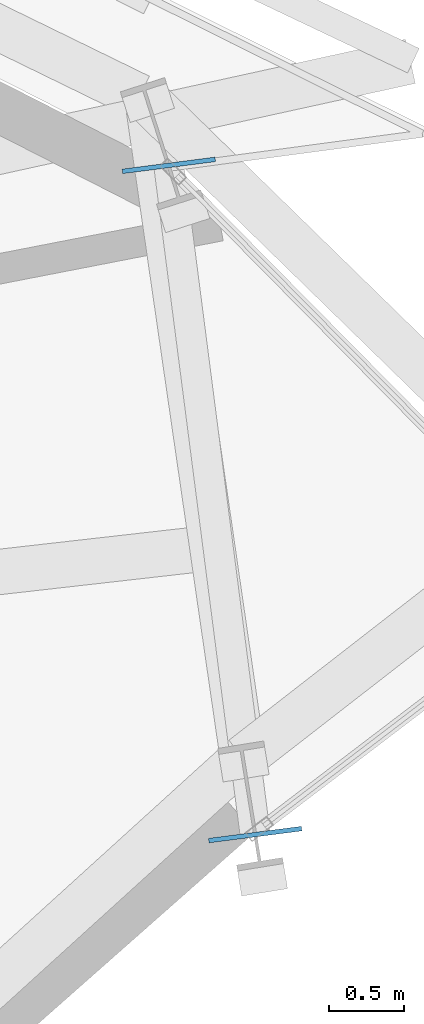
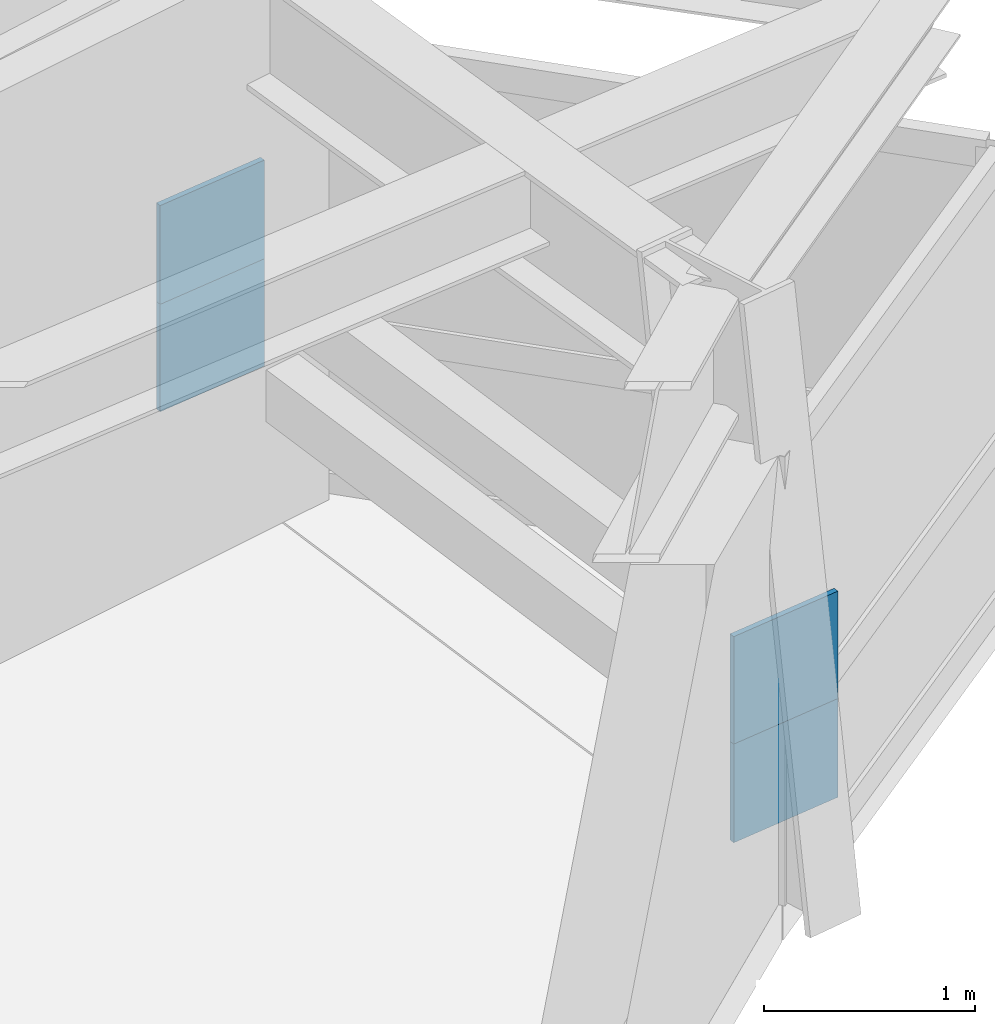
# One storey, part 15 of 24: 4 plates.
"""IFC4 building model written with IfcOpenShell, lengths in metres."""

from ifc_helpers import new_model, si_unit, direction, frame, origin, origin_2d, place, context, subcontext, project, spatial, rectangle, extrude, source, transform, mapped, material, type_object, element, save


model = new_model("IFC4")

# Units and contexts
model_context = context("Model", 3, precision=1e-05, world=origin(), true_north=direction((0.0, 1.0)))
body_context = subcontext(model_context, "Body", "Model", "MODEL_VIEW")
ifc_project = project(units=[si_unit("LENGTHUNIT", "METRE"), si_unit("AREAUNIT", "SQUARE_METRE"), si_unit("VOLUMEUNIT", "CUBIC_METRE"), si_unit("PLANEANGLEUNIT", "RADIAN"), si_unit("MASSUNIT", "GRAM", prefix="KILO")], contexts=[model_context])

# Site, building, storey
site_placement = place(None, origin())
site = spatial("IfcSite", under=ifc_project, at=site_placement, CompositionType="ELEMENT")
building_placement = place(site_placement, origin())
building = spatial("IfcBuilding", under=site, at=building_placement, Name="Olszyna Solenne Hotel", CompositionType="ELEMENT")
storey_placement = place(building_placement, frame((0.0, 0.0, 64.800048828125)))
storey = spatial("IfcBuildingStorey", under=building, at=storey_placement, Name="L16", CompositionType="ELEMENT", Elevation=64.800048828125)

# Plates
ifc_material = material(Name="Steel S460M", Category="steel")
plate_type = type_object("IfcPlateType", Name="GP-CAP2", PredefinedType="USERDEFINED", material=ifc_material)
shared_shape = source(origin(), body_context, "Body", "SweptSolid", [
    extrude(rectangle(XDim=0.030029296875, YDim=0.6201171875, at=origin_2d()), origin(), (0.0, 0.0, 1.0), 0.6201171875),
])
for number, where, z_axis, x_axis, name in (
    (1, (68.559814453125, 28.458251953125, 1.039794921875), (0.0, 0.0, 1.0), (-0.127930151302, 0.99178318013, 0.0), "Hollow section end-cap plate GP-CAP2 CP-PR-M-L16-PR1-1"),
    (2, (67.98779296875, 32.8916015625, 1.039794921875), (0.0, 0.0, 1.0), (-0.127930151302, 0.99178318013, 0.0), "Hollow section end-cap plate GP-CAP2 CP-PR-M-L16-PR1-2"),
    (3, (68.559814453125, 28.458251953125, 0.469970703125), (0.0, 0.0, 1.0), (-0.127930151302, 0.99178318013, 0.0), "Hollow section end-cap plate GP-CAP2 CP-PR-M-L16-PR2-1"),
    (4, (67.98779296875, 32.8916015625, 0.469970703125), (0.0, 0.0, 1.0), (-0.127930151302, 0.99178318013, 0.0), "Hollow section end-cap plate GP-CAP2 CP-PR-M-L16-PR2-2"),
):
    element("IfcPlate", number, at=place(storey_placement, frame(where, z_axis=z_axis, x_axis=x_axis)), inside=storey, type_object=plate_type, Name=name, ObjectType="GUSSET_PLATE", PredefinedType="USERDEFINED", context=body_context, shape_type="MappedRepresentation", body=[
        mapped(shared_shape, transform((0.0, 0.0, 0.0), x_axis=(1.0, 0.0, 0.0), y_axis=(0.0, 1.0, 0.0), z_axis=(0.0, 0.0, 1.0), scale=1.0)),
    ])

save(model, "model.ifc")
